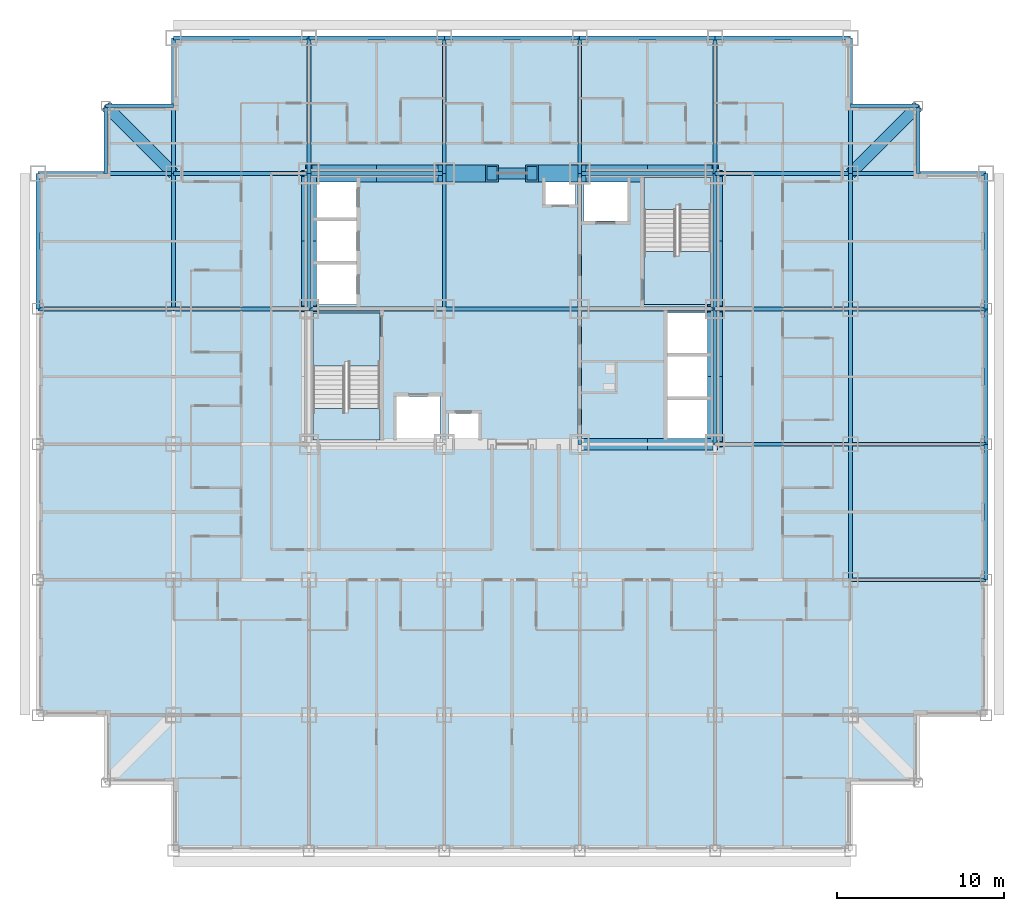
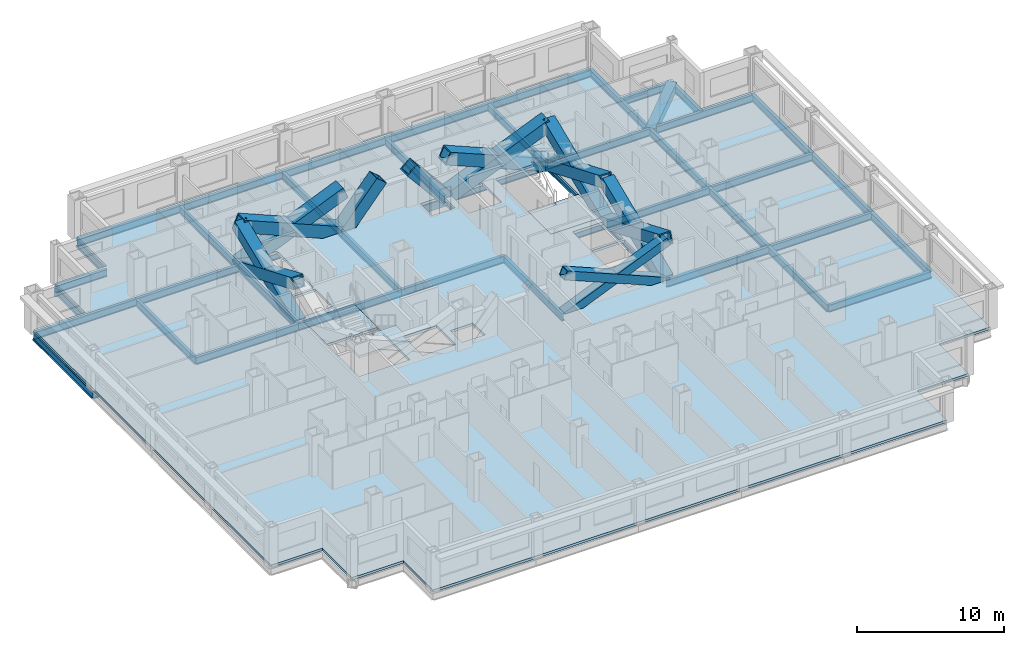
# One storey, part 2 of 12: 48 beams, 14 members, 5 slabs, 2 elements without a shape of their own.
"""IFC4 building model written with IfcOpenShell, lengths in metres."""

from ifc_helpers import new_model, si_unit, direction, frame, origin, origin_2d, place, context, subcontext, project, spatial, polyline, hollow_rectangle, i_section, outline, extrude, material, layer, layer_set, material_profile, profile_set, type_object, element, aggregate, save


model = new_model("IFC4")

# Units and contexts
model_context = context("Model", 3, precision=1e-05, world=origin(), true_north=direction((0.0, 1.0)))
body_context = subcontext(model_context, "Body", "Model", "MODEL_VIEW")
ifc_project = project(units=[si_unit("LENGTHUNIT", "METRE"), si_unit("AREAUNIT", "SQUARE_METRE"), si_unit("VOLUMEUNIT", "CUBIC_METRE"), si_unit("PLANEANGLEUNIT", "RADIAN"), si_unit("MASSUNIT", "GRAM", prefix="KILO")], contexts=[model_context])

# Site, building, storey
site_placement = place(None, origin())
site = spatial("IfcSite", under=ifc_project, at=site_placement, CompositionType="ELEMENT")
building_placement = place(site_placement, origin())
building = spatial("IfcBuilding", under=site, at=building_placement, Name="Kopane Lantern Tower", CompositionType="ELEMENT")
storey_placement = place(building_placement, frame((0.0, 0.0, 36.39990234375)))
storey = spatial("IfcBuildingStorey", under=building, at=storey_placement, Name="L07", CompositionType="ELEMENT", Elevation=36.39990234375)

# Members
ifc_material_1 = material(Name="Steel S355JR", Category="steel")
ifc_material_profile_1 = material_profile(ifc_material_1, hollow_rectangle(XDim=1.0, YDim=1.0, WallThickness=0.10009765625, at=origin_2d()), Name="BOX 1000x1000x100")
ifc_profile_set_1 = profile_set([ifc_material_profile_1], Name="Steel S355JR")
member_type_1 = type_object("IfcMemberType", Name="BRACE BOX 1000x1000x100", PredefinedType="BRACE", material=ifc_profile_set_1)
for number, where, z_axis, x_axis, name in (
    (1, (16.199951171875, 40.5, -0.2099609375), (0.92205908274, 0.0, 0.387049154419), (0.0, 1.0, 0.0), "Core brace L07"),
    (2, (24.300048828125, 40.5, -0.2099609375), (-0.92205908274, 0.0, 0.387049154419), (0.0, -1.0, 0.0), "Core brace L07"),
):
    element("IfcMember", number, at=place(storey_placement, frame(where, z_axis=z_axis, x_axis=x_axis)), inside=storey, type_object=member_type_1, Name=name, PredefinedType="BRACE", context=body_context, shape_type="SweptSolid", body=[
        extrude(hollow_rectangle(XDim=1.0, YDim=1.0, WallThickness=0.10009765625, at=origin_2d()), origin(), (0.0, 0.0, 1.0), 8.784912109375),
    ])
for number, where, z_axis, x_axis, name in (
    (3, (24.300048828125, 40.5, -0.2099609375), (0.642363165114, 0.0, 0.766400394118), (0.0, 1.0, 0.0), "Core brace L07"),
    (4, (32.39990234375, 40.5, -0.2099609375), (-0.642363165114, 0.0, 0.766400394118), (0.0, -1.0, 0.0), "Core brace L07"),
):
    element("IfcMember", number, at=place(storey_placement, frame(where, z_axis=z_axis, x_axis=x_axis)), inside=storey, type_object=member_type_1, Name=name, PredefinedType="BRACE", context=body_context, shape_type="SweptSolid", body=[
        extrude(hollow_rectangle(XDim=1.0, YDim=1.0, WallThickness=0.10009765625, at=origin_2d()), origin(), (0.0, 0.0, 1.0), 4.4365234375),
    ])
for number, where, z_axis, x_axis, name in (
    (5, (32.39990234375, 40.5, -0.2099609375), (0.92205908274, 0.0, 0.387049154419), (0.0, 1.0, 0.0), "Core brace L07"),
    (6, (40.5, 40.5, -0.2099609375), (-0.92205908274, 0.0, 0.387049154419), (0.0, -1.0, 0.0), "Core brace L07"),
):
    element("IfcMember", number, at=place(storey_placement, frame(where, z_axis=z_axis, x_axis=x_axis)), inside=storey, type_object=member_type_1, Name=name, PredefinedType="BRACE", context=body_context, shape_type="SweptSolid", body=[
        extrude(hollow_rectangle(XDim=1.0, YDim=1.0, WallThickness=0.10009765625, at=origin_2d()), origin(), (0.0, 0.0, 1.0), 8.784912109375),
    ])
ifc_material_2 = material(Name="Steel S355JR", Category="steel")
ifc_material_profile_2 = material_profile(ifc_material_2, hollow_rectangle(XDim=0.699951171875, YDim=0.699951171875, WallThickness=0.06005859375, at=origin_2d()), Name="BOX 700x700x60")
ifc_profile_set_2 = profile_set([ifc_material_profile_2], Name="Steel S355JR")
member_type_2 = type_object("IfcMemberType", Name="BRACE BOX 700x700x60", PredefinedType="BRACE", material=ifc_profile_set_2)
for number, where, z_axis, x_axis, name in (
    (7, (32.39990234375, 24.300048828125, -0.2099609375), (0.92205908274, 0.0, 0.387049154419), (0.0, 1.0, 0.0), "Core brace L07"),
    (8, (40.5, 24.300048828125, -0.2099609375), (-0.92205908274, 0.0, 0.387049154419), (0.0, -1.0, 0.0), "Core brace L07"),
):
    element("IfcMember", number, at=place(storey_placement, frame(where, z_axis=z_axis, x_axis=x_axis)), inside=storey, type_object=member_type_2, Name=name, PredefinedType="BRACE", context=body_context, shape_type="SweptSolid", body=[
        extrude(hollow_rectangle(XDim=0.699951171875, YDim=0.699951171875, WallThickness=0.06005859375, at=origin_2d()), origin(), (0.0, 0.0, 1.0), 8.784912109375),
    ])
ifc_material_3 = material(Name="Steel S355JR", Category="steel")
ifc_material_profile_3 = material_profile(ifc_material_3, hollow_rectangle(XDim=0.89990234375, YDim=0.89990234375, WallThickness=0.090087890625, at=origin_2d()), Name="BOX 900x900x90")
ifc_profile_set_3 = profile_set([ifc_material_profile_3], Name="Steel S355JR")
member_type_3 = type_object("IfcMemberType", Name="BRACE BOX 900x900x90", PredefinedType="BRACE", material=ifc_profile_set_3)
for number, where, z_axis, x_axis, name in (
    (9, (16.199951171875, 32.39990234375, -0.2099609375), (0.0, 0.92205908274, 0.387049154419), (-1.0, 0.0, 0.0), "Core brace L07"),
    (10, (16.199951171875, 40.5, -0.2099609375), (0.0, -0.92205908274, 0.387049154419), (1.0, 0.0, 0.0), "Core brace L07"),
):
    element("IfcMember", number, at=place(storey_placement, frame(where, z_axis=z_axis, x_axis=x_axis)), inside=storey, type_object=member_type_3, Name=name, PredefinedType="BRACE", context=body_context, shape_type="SweptSolid", body=[
        extrude(hollow_rectangle(XDim=0.89990234375, YDim=0.89990234375, WallThickness=0.090087890625, at=origin_2d()), origin(), (0.0, 0.0, 1.0), 8.784912109375),
    ])
for number, where, z_axis, x_axis, name in (
    (11, (40.5, 24.300048828125, -0.2099609375), (0.0, 0.92205491925, 0.387059072864), (-1.0, 0.0, 0.0), "Core brace L07"),
    (12, (40.5, 32.39990234375, -0.2099609375), (0.0, -0.92205491925, 0.387059072864), (1.0, 0.0, 0.0), "Core brace L07"),
):
    element("IfcMember", number, at=place(storey_placement, frame(where, z_axis=z_axis, x_axis=x_axis)), inside=storey, type_object=member_type_3, Name=name, PredefinedType="BRACE", context=body_context, shape_type="SweptSolid", body=[
        extrude(hollow_rectangle(XDim=0.89990234375, YDim=0.89990234375, WallThickness=0.090087890625, at=origin_2d()), origin(), (0.0, 0.0, 1.0), 8.78466796875),
    ])
for number, where, z_axis, x_axis, name in (
    (13, (40.5, 32.39990234375, -0.2099609375), (0.0, 0.92205908274, 0.387049154419), (-1.0, 0.0, 0.0), "Core brace L07"),
    (14, (40.5, 40.5, -0.2099609375), (0.0, -0.92205908274, 0.387049154419), (1.0, 0.0, 0.0), "Core brace L07"),
):
    element("IfcMember", number, at=place(storey_placement, frame(where, z_axis=z_axis, x_axis=x_axis)), inside=storey, type_object=member_type_3, Name=name, PredefinedType="BRACE", context=body_context, shape_type="SweptSolid", body=[
        extrude(hollow_rectangle(XDim=0.89990234375, YDim=0.89990234375, WallThickness=0.090087890625, at=origin_2d()), origin(), (0.0, 0.0, 1.0), 8.784912109375),
    ])

# Beams
ifc_material_4 = material(Name="Steel S355JR", Category="steel")
ifc_material_profile_4 = material_profile(ifc_material_4, i_section(OverallWidth=0.22900390625, OverallDepth=0.6123046875, WebThickness=0.011962890625, FlangeThickness=0.01953125, FilletRadius=0.0126953125, at=origin_2d()), Name="UB 610x229x125")
ifc_profile_set_4 = profile_set([ifc_material_profile_4], Name="Steel S355JR")
beam_type_1 = type_object("IfcBeamType", Name="CORE BEAM UB 610x229x125", PredefinedType="BEAM", material=ifc_profile_set_4)
for number, where, z_axis, x_axis, name in (
    (15, (16.199951171875, 32.39990234375, -0.51611328125), (1.0, 0.0, 0.0), (0.0, 1.0, 0.0), "Core Beam L07"),
    (16, (24.300048828125, 32.39990234375, -0.51611328125), (0.0, 1.0, 0.0), (-1.0, 0.0, 0.0), "Core Beam L07"),
):
    element("IfcBeam", number, at=place(storey_placement, frame(where, z_axis=z_axis, x_axis=x_axis)), inside=storey, type_object=beam_type_1, Name=name, PredefinedType="BEAM", context=body_context, shape_type="SweptSolid", body=[
        extrude(i_section(OverallWidth=0.22900390625, OverallDepth=0.6123046875, WebThickness=0.011962890625, FlangeThickness=0.01953125, FilletRadius=0.0126953125, at=origin_2d()), origin(), (0.0, 0.0, 1.0), 8.10009765625),
    ])
for number, where, z_axis, x_axis, name in (
    (17, (24.300048828125, 32.39990234375, -0.51611328125), (1.0, 0.0, 0.0), (0.0, 1.0, 0.0), "Core Beam L07"),
    (18, (32.39990234375, 24.300048828125, -0.51611328125), (0.0, 1.0, 0.0), (-1.0, 0.0, 0.0), "Core Beam L07"),
):
    element("IfcBeam", number, at=place(storey_placement, frame(where, z_axis=z_axis, x_axis=x_axis)), inside=storey, type_object=beam_type_1, Name=name, PredefinedType="BEAM", context=body_context, shape_type="SweptSolid", body=[
        extrude(i_section(OverallWidth=0.22900390625, OverallDepth=0.6123046875, WebThickness=0.011962890625, FlangeThickness=0.01953125, FilletRadius=0.0126953125, at=origin_2d()), origin(), (0.0, 0.0, 1.0), 8.099853515625),
    ])
for number, where, z_axis, x_axis, name in (
    (19, (32.39990234375, 32.39990234375, -0.51611328125), (0.0, 1.0, 0.0), (-1.0, 0.0, 0.0), "Core Beam L07"),
    (20, (32.39990234375, 32.39990234375, -0.51611328125), (1.0, 0.0, 0.0), (0.0, 1.0, 0.0), "Core Beam L07"),
):
    element("IfcBeam", number, at=place(storey_placement, frame(where, z_axis=z_axis, x_axis=x_axis)), inside=storey, type_object=beam_type_1, Name=name, PredefinedType="BEAM", context=body_context, shape_type="SweptSolid", body=[
        extrude(i_section(OverallWidth=0.22900390625, OverallDepth=0.6123046875, WebThickness=0.011962890625, FlangeThickness=0.01953125, FilletRadius=0.0126953125, at=origin_2d()), origin(), (0.0, 0.0, 1.0), 8.10009765625),
    ])
ifc_material_5 = material(Name="Steel S355JR", Category="steel")
ifc_material_profile_5 = material_profile(ifc_material_5, hollow_rectangle(XDim=0.699951171875, YDim=0.699951171875, WallThickness=0.06005859375, at=origin_2d()), Name="BOX 700x700x60")
ifc_profile_set_5 = profile_set([ifc_material_profile_5], Name="Steel S355JR")
beam_type_2 = type_object("IfcBeamType", Name="CORNER TIE BEAM BOX 700x700x60", PredefinedType="BEAM", material=ifc_profile_set_5)
for number, where, z_axis, x_axis, name in (
    (21, (4.050048828125, 44.550048828125, -0.559814453125), (0.707106781187, -0.707106781187, 0.0), (0.707106781187, 0.707106781187, 0.0), "Corner Tie Beam L07"),
    (22, (52.64990234375, 44.550048828125, -0.559814453125), (-0.707085467703, -0.707128094028, 0.0), (0.707128094028, -0.707085467703, 0.0), "Corner Tie Beam L07"),
):
    element("IfcBeam", number, at=place(storey_placement, frame(where, z_axis=z_axis, x_axis=x_axis)), inside=storey, type_object=beam_type_2, Name=name, PredefinedType="BEAM", context=body_context, shape_type="SweptSolid", body=[
        extrude(hollow_rectangle(XDim=0.699951171875, YDim=0.699951171875, WallThickness=0.06005859375, at=origin_2d()), origin(), (0.0, 0.0, 1.0), 5.7275390625),
    ])
ifc_material_6 = material(Name="Steel S355JR", Category="steel")
ifc_material_profile_6 = material_profile(ifc_material_6, i_section(OverallWidth=0.22900390625, OverallDepth=0.6123046875, WebThickness=0.011962890625, FlangeThickness=0.01953125, FilletRadius=0.0126953125, at=origin_2d()), Name="UB 610x229x125")
ifc_profile_set_6 = profile_set([ifc_material_profile_6], Name="Steel S355JR")
beam_type_3 = type_object("IfcBeamType", Name="EDGE BEAM UB 610x229x125", PredefinedType="BEAM", material=ifc_profile_set_6)
for number, where, z_axis, x_axis, name in (
    (23, (4.050048828125, 44.550048828125, -0.51611328125), (0.0, -1.0, 0.0), (1.0, 0.0, 0.0), "Edge Beam L07"),
    (24, (4.050048828125, 44.550048828125, -0.51611328125), (1.0, 0.0, 0.0), (0.0, 1.0, 0.0), "Edge Beam L07"),
):
    element("IfcBeam", number, at=place(storey_placement, frame(where, z_axis=z_axis, x_axis=x_axis)), inside=storey, type_object=beam_type_3, Name=name, PredefinedType="BEAM", context=body_context, shape_type="SweptSolid", body=[
        extrude(i_section(OverallWidth=0.22900390625, OverallDepth=0.6123046875, WebThickness=0.011962890625, FlangeThickness=0.01953125, FilletRadius=0.0126953125, at=origin_2d()), origin(), (0.0, 0.0, 1.0), 4.050048828125),
    ])
beam_1_placement = place(storey_placement, frame((52.64990234375, 44.550048828125, -0.51611328125), z_axis=(-1.0, 0.0, 0.0), x_axis=(0.0, -1.0, 0.0)))
element("IfcBeam", 25, at=beam_1_placement, inside=storey, type_object=beam_type_3, Name="Edge Beam L07", PredefinedType="BEAM", context=body_context, shape_type="SweptSolid", body=[
    extrude(i_section(OverallWidth=0.22900390625, OverallDepth=0.6123046875, WebThickness=0.011962890625, FlangeThickness=0.01953125, FilletRadius=0.0126953125, at=origin_2d()), origin(), (0.0, 0.0, 1.0), 4.0498046875),
])
beam_2_placement = place(storey_placement, frame((52.64990234375, 44.550048828125, -0.51611328125), z_axis=(0.0, -1.0, 0.0), x_axis=(1.0, 0.0, 0.0)))
element("IfcBeam", 26, at=beam_2_placement, inside=storey, type_object=beam_type_3, Name="Edge Beam L07", PredefinedType="BEAM", context=body_context, shape_type="SweptSolid", body=[
    extrude(i_section(OverallWidth=0.22900390625, OverallDepth=0.6123046875, WebThickness=0.011962890625, FlangeThickness=0.01953125, FilletRadius=0.0126953125, at=origin_2d()), origin(), (0.0, 0.0, 1.0), 4.050048828125),
])
ifc_material_7 = material(Name="Steel S355JR", Category="steel")
ifc_material_profile_7 = material_profile(ifc_material_7, i_section(OverallWidth=0.22900390625, OverallDepth=0.6123046875, WebThickness=0.011962890625, FlangeThickness=0.01953125, FilletRadius=0.0126953125, at=origin_2d()), Name="UB 610x229x125")
ifc_profile_set_7 = profile_set([ifc_material_profile_7], Name="Steel S355JR")
beam_type_4 = type_object("IfcBeamType", Name="GIRDER UB 610x229x125", PredefinedType="BEAM", material=ifc_profile_set_7)
for number, where, z_axis, x_axis, name in (
    (27, (0.0, 32.39990234375, -0.51611328125), (0.0, 1.0, 0.0), (-1.0, 0.0, 0.0), "Girder L07"),
    (28, (0.0, 32.39990234375, -0.51611328125), (1.0, 0.0, 0.0), (0.0, 1.0, 0.0), "Girder L07"),
    (29, (0.0, 40.5, -0.51611328125), (1.0, 0.0, 0.0), (0.0, 1.0, 0.0), "Girder L07"),
    (30, (8.10009765625, 32.39990234375, -0.51611328125), (0.0, 1.0, 0.0), (-1.0, 0.0, 0.0), "Girder L07"),
):
    element("IfcBeam", number, at=place(storey_placement, frame(where, z_axis=z_axis, x_axis=x_axis)), inside=storey, type_object=beam_type_4, Name=name, PredefinedType="BEAM", context=body_context, shape_type="SweptSolid", body=[
        extrude(i_section(OverallWidth=0.22900390625, OverallDepth=0.6123046875, WebThickness=0.011962890625, FlangeThickness=0.01953125, FilletRadius=0.0126953125, at=origin_2d()), origin(), (0.0, 0.0, 1.0), 8.10009765625),
    ])
beam_3_placement = place(storey_placement, frame((8.10009765625, 32.39990234375, -0.51611328125), z_axis=(1.0, 0.0, 0.0), x_axis=(0.0, 1.0, 0.0)))
element("IfcBeam", 31, at=beam_3_placement, inside=storey, type_object=beam_type_4, Name="Girder L07", PredefinedType="BEAM", context=body_context, shape_type="SweptSolid", body=[
    extrude(i_section(OverallWidth=0.22900390625, OverallDepth=0.6123046875, WebThickness=0.011962890625, FlangeThickness=0.01953125, FilletRadius=0.0126953125, at=origin_2d()), origin(), (0.0, 0.0, 1.0), 8.099853515625),
])
beam_4_placement = place(storey_placement, frame((8.10009765625, 40.5, -0.51611328125), z_axis=(0.0, 1.0, 0.0), x_axis=(-1.0, 0.0, 0.0)))
element("IfcBeam", 32, at=beam_4_placement, inside=storey, type_object=beam_type_4, Name="Girder L07", PredefinedType="BEAM", context=body_context, shape_type="SweptSolid", body=[
    extrude(i_section(OverallWidth=0.22900390625, OverallDepth=0.6123046875, WebThickness=0.011962890625, FlangeThickness=0.01953125, FilletRadius=0.0126953125, at=origin_2d()), origin(), (0.0, 0.0, 1.0), 8.10009765625),
])
for number, where, z_axis, x_axis, name in (
    (33, (8.10009765625, 40.5, -0.51611328125), (1.0, 0.0, 0.0), (0.0, 1.0, 0.0), "Girder L07"),
    (34, (8.10009765625, 48.60009765625, -0.51611328125), (1.0, 0.0, 0.0), (0.0, 1.0, 0.0), "Girder L07"),
):
    element("IfcBeam", number, at=place(storey_placement, frame(where, z_axis=z_axis, x_axis=x_axis)), inside=storey, type_object=beam_type_4, Name=name, PredefinedType="BEAM", context=body_context, shape_type="SweptSolid", body=[
        extrude(i_section(OverallWidth=0.22900390625, OverallDepth=0.6123046875, WebThickness=0.011962890625, FlangeThickness=0.01953125, FilletRadius=0.0126953125, at=origin_2d()), origin(), (0.0, 0.0, 1.0), 8.099853515625),
    ])
for number, where, z_axis, x_axis, name in (
    (35, (16.199951171875, 32.39990234375, -0.51611328125), (0.0, 1.0, 0.0), (-1.0, 0.0, 0.0), "Girder L07"),
    (36, (16.199951171875, 40.5, -0.51611328125), (0.0, 1.0, 0.0), (-1.0, 0.0, 0.0), "Girder L07"),
    (37, (16.199951171875, 40.5, -0.51611328125), (1.0, 0.0, 0.0), (0.0, 1.0, 0.0), "Girder L07"),
    (38, (16.199951171875, 48.60009765625, -0.51611328125), (1.0, 0.0, 0.0), (0.0, 1.0, 0.0), "Girder L07"),
    (39, (24.300048828125, 40.5, -0.51611328125), (0.0, 1.0, 0.0), (-1.0, 0.0, 0.0), "Girder L07"),
):
    element("IfcBeam", number, at=place(storey_placement, frame(where, z_axis=z_axis, x_axis=x_axis)), inside=storey, type_object=beam_type_4, Name=name, PredefinedType="BEAM", context=body_context, shape_type="SweptSolid", body=[
        extrude(i_section(OverallWidth=0.22900390625, OverallDepth=0.6123046875, WebThickness=0.011962890625, FlangeThickness=0.01953125, FilletRadius=0.0126953125, at=origin_2d()), origin(), (0.0, 0.0, 1.0), 8.10009765625),
    ])
beam_5_placement = place(storey_placement, frame((24.300048828125, 48.60009765625, -0.51611328125), z_axis=(1.0, 0.0, 0.0), x_axis=(0.0, 1.0, 0.0)))
element("IfcBeam", 40, at=beam_5_placement, inside=storey, type_object=beam_type_4, Name="Girder L07", PredefinedType="BEAM", context=body_context, shape_type="SweptSolid", body=[
    extrude(i_section(OverallWidth=0.22900390625, OverallDepth=0.6123046875, WebThickness=0.011962890625, FlangeThickness=0.01953125, FilletRadius=0.0126953125, at=origin_2d()), origin(), (0.0, 0.0, 1.0), 8.099853515625),
])
for number, where, z_axis, x_axis, name in (
    (41, (32.39990234375, 40.5, -0.51611328125), (0.0, 1.0, 0.0), (-1.0, 0.0, 0.0), "Girder L07"),
    (42, (32.39990234375, 40.5, -0.51611328125), (1.0, 0.0, 0.0), (0.0, 1.0, 0.0), "Girder L07"),
    (43, (32.39990234375, 48.60009765625, -0.51611328125), (1.0, 0.0, 0.0), (0.0, 1.0, 0.0), "Girder L07"),
):
    element("IfcBeam", number, at=place(storey_placement, frame(where, z_axis=z_axis, x_axis=x_axis)), inside=storey, type_object=beam_type_4, Name=name, PredefinedType="BEAM", context=body_context, shape_type="SweptSolid", body=[
        extrude(i_section(OverallWidth=0.22900390625, OverallDepth=0.6123046875, WebThickness=0.011962890625, FlangeThickness=0.01953125, FilletRadius=0.0126953125, at=origin_2d()), origin(), (0.0, 0.0, 1.0), 8.10009765625),
    ])
beam_6_placement = place(storey_placement, frame((40.5, 24.300048828125, -0.51611328125), z_axis=(0.0, 1.0, 0.0), x_axis=(-1.0, 0.0, 0.0)))
element("IfcBeam", 44, at=beam_6_placement, inside=storey, type_object=beam_type_4, Name="Girder L07", PredefinedType="BEAM", context=body_context, shape_type="SweptSolid", body=[
    extrude(i_section(OverallWidth=0.22900390625, OverallDepth=0.6123046875, WebThickness=0.011962890625, FlangeThickness=0.01953125, FilletRadius=0.0126953125, at=origin_2d()), origin(), (0.0, 0.0, 1.0), 8.099853515625),
])
for number, where, z_axis, x_axis, name in (
    (45, (40.5, 24.300048828125, -0.51611328125), (1.0, 0.0, 0.0), (0.0, 1.0, 0.0), "Girder L07"),
    (46, (40.5, 32.39990234375, -0.51611328125), (0.0, 1.0, 0.0), (-1.0, 0.0, 0.0), "Girder L07"),
    (47, (40.5, 32.39990234375, -0.51611328125), (1.0, 0.0, 0.0), (0.0, 1.0, 0.0), "Girder L07"),
    (48, (40.5, 40.5, -0.51611328125), (0.0, 1.0, 0.0), (-1.0, 0.0, 0.0), "Girder L07"),
    (49, (40.5, 40.5, -0.51611328125), (1.0, 0.0, 0.0), (0.0, 1.0, 0.0), "Girder L07"),
    (50, (40.5, 48.60009765625, -0.51611328125), (1.0, 0.0, 0.0), (0.0, 1.0, 0.0), "Girder L07"),
    (51, (48.60009765625, 16.199951171875, -0.51611328125), (0.0, 1.0, 0.0), (-1.0, 0.0, 0.0), "Girder L07"),
):
    element("IfcBeam", number, at=place(storey_placement, frame(where, z_axis=z_axis, x_axis=x_axis)), inside=storey, type_object=beam_type_4, Name=name, PredefinedType="BEAM", context=body_context, shape_type="SweptSolid", body=[
        extrude(i_section(OverallWidth=0.22900390625, OverallDepth=0.6123046875, WebThickness=0.011962890625, FlangeThickness=0.01953125, FilletRadius=0.0126953125, at=origin_2d()), origin(), (0.0, 0.0, 1.0), 8.10009765625),
    ])
for number, where, z_axis, x_axis, name in (
    (52, (48.60009765625, 16.199951171875, -0.51611328125), (1.0, 0.0, 0.0), (0.0, 1.0, 0.0), "Girder L07"),
    (53, (48.60009765625, 24.300048828125, -0.51611328125), (0.0, 1.0, 0.0), (-1.0, 0.0, 0.0), "Girder L07"),
    (54, (48.60009765625, 24.300048828125, -0.51611328125), (1.0, 0.0, 0.0), (0.0, 1.0, 0.0), "Girder L07"),
):
    element("IfcBeam", number, at=place(storey_placement, frame(where, z_axis=z_axis, x_axis=x_axis)), inside=storey, type_object=beam_type_4, Name=name, PredefinedType="BEAM", context=body_context, shape_type="SweptSolid", body=[
        extrude(i_section(OverallWidth=0.22900390625, OverallDepth=0.6123046875, WebThickness=0.011962890625, FlangeThickness=0.01953125, FilletRadius=0.0126953125, at=origin_2d()), origin(), (0.0, 0.0, 1.0), 8.099853515625),
    ])
beam_7_placement = place(storey_placement, frame((48.60009765625, 32.39990234375, -0.51611328125), z_axis=(0.0, 1.0, 0.0), x_axis=(-1.0, 0.0, 0.0)))
element("IfcBeam", 55, at=beam_7_placement, inside=storey, type_object=beam_type_4, Name="Girder L07", PredefinedType="BEAM", context=body_context, shape_type="SweptSolid", body=[
    extrude(i_section(OverallWidth=0.22900390625, OverallDepth=0.6123046875, WebThickness=0.011962890625, FlangeThickness=0.01953125, FilletRadius=0.0126953125, at=origin_2d()), origin(), (0.0, 0.0, 1.0), 8.10009765625),
])
beam_8_placement = place(storey_placement, frame((48.60009765625, 32.39990234375, -0.51611328125), z_axis=(1.0, 0.0, 0.0), x_axis=(0.0, 1.0, 0.0)))
element("IfcBeam", 56, at=beam_8_placement, inside=storey, type_object=beam_type_4, Name="Girder L07", PredefinedType="BEAM", context=body_context, shape_type="SweptSolid", body=[
    extrude(i_section(OverallWidth=0.22900390625, OverallDepth=0.6123046875, WebThickness=0.011962890625, FlangeThickness=0.01953125, FilletRadius=0.0126953125, at=origin_2d()), origin(), (0.0, 0.0, 1.0), 8.099853515625),
])
beam_9_placement = place(storey_placement, frame((48.60009765625, 40.5, -0.51611328125), z_axis=(0.0, 1.0, 0.0), x_axis=(-1.0, 0.0, 0.0)))
element("IfcBeam", 57, at=beam_9_placement, inside=storey, type_object=beam_type_4, Name="Girder L07", PredefinedType="BEAM", context=body_context, shape_type="SweptSolid", body=[
    extrude(i_section(OverallWidth=0.22900390625, OverallDepth=0.6123046875, WebThickness=0.011962890625, FlangeThickness=0.01953125, FilletRadius=0.0126953125, at=origin_2d()), origin(), (0.0, 0.0, 1.0), 8.10009765625),
])
beam_10_placement = place(storey_placement, frame((48.60009765625, 40.5, -0.51611328125), z_axis=(1.0, 0.0, 0.0), x_axis=(0.0, 1.0, 0.0)))
element("IfcBeam", 58, at=beam_10_placement, inside=storey, type_object=beam_type_4, Name="Girder L07", PredefinedType="BEAM", context=body_context, shape_type="SweptSolid", body=[
    extrude(i_section(OverallWidth=0.22900390625, OverallDepth=0.6123046875, WebThickness=0.011962890625, FlangeThickness=0.01953125, FilletRadius=0.0126953125, at=origin_2d()), origin(), (0.0, 0.0, 1.0), 8.099853515625),
])
beam_11_placement = place(storey_placement, frame((56.699951171875, 16.199951171875, -0.51611328125), z_axis=(0.0, 1.0, 0.0), x_axis=(-1.0, 0.0, 0.0)))
element("IfcBeam", 59, at=beam_11_placement, inside=storey, type_object=beam_type_4, Name="Girder L07", PredefinedType="BEAM", context=body_context, shape_type="SweptSolid", body=[
    extrude(i_section(OverallWidth=0.22900390625, OverallDepth=0.6123046875, WebThickness=0.011962890625, FlangeThickness=0.01953125, FilletRadius=0.0126953125, at=origin_2d()), origin(), (0.0, 0.0, 1.0), 8.10009765625),
])
beam_12_placement = place(storey_placement, frame((56.699951171875, 24.300048828125, -0.51611328125), z_axis=(0.0, 1.0, 0.0), x_axis=(-1.0, 0.0, 0.0)))
element("IfcBeam", 60, at=beam_12_placement, inside=storey, type_object=beam_type_4, Name="Girder L07", PredefinedType="BEAM", context=body_context, shape_type="SweptSolid", body=[
    extrude(i_section(OverallWidth=0.22900390625, OverallDepth=0.6123046875, WebThickness=0.011962890625, FlangeThickness=0.01953125, FilletRadius=0.0126953125, at=origin_2d()), origin(), (0.0, 0.0, 1.0), 8.099853515625),
])
beam_13_placement = place(storey_placement, frame((56.699951171875, 32.39990234375, -0.51611328125), z_axis=(0.0, 1.0, 0.0), x_axis=(-1.0, 0.0, 0.0)))
element("IfcBeam", 61, at=beam_13_placement, inside=storey, type_object=beam_type_4, Name="Girder L07", PredefinedType="BEAM", context=body_context, shape_type="SweptSolid", body=[
    extrude(i_section(OverallWidth=0.22900390625, OverallDepth=0.6123046875, WebThickness=0.011962890625, FlangeThickness=0.01953125, FilletRadius=0.0126953125, at=origin_2d()), origin(), (0.0, 0.0, 1.0), 8.10009765625),
])
ifc_material_8 = material(Name="Steel S355JR", Category="steel")
ifc_material_profile_8 = material_profile(ifc_material_8, hollow_rectangle(XDim=0.64990234375, YDim=0.64990234375, WallThickness=0.070068359375, at=origin_2d()), Name="BOX 650x650x70")
ifc_profile_set_8 = profile_set([ifc_material_profile_8], Name="Steel S355JR")
beam_type_5 = type_object("IfcBeamType", Name="LINK BEAM BOX 650x650x70", PredefinedType="BEAM", material=ifc_profile_set_8)
beam_14_placement = place(storey_placement, frame((24.300048828125, 40.5, -0.534912109375), z_axis=(1.0, 0.0, 0.0), x_axis=(0.0, 1.0, 0.0)))
element("IfcBeam", 62, at=beam_14_placement, inside=storey, type_object=beam_type_5, Name="Link Beam L07", PredefinedType="BEAM", context=body_context, shape_type="SweptSolid", body=[
    extrude(hollow_rectangle(XDim=0.64990234375, YDim=0.64990234375, WallThickness=0.070068359375, at=origin_2d()), origin(), (0.0, 0.0, 1.0), 8.099853515625),
])

# Slab
ifc_material_9 = material(Name="Concrete C40/50", Category="concrete")
ifc_layer_1 = layer(ifc_material_9, 0.2099609375)
ifc_layer_set_1 = layer_set([ifc_layer_1], Name="SLAB 210 COMPOSITE")
slab_type_1 = type_object("IfcSlabType", Name="SLAB 210 COMPOSITE", PredefinedType="FLOOR", material=ifc_layer_set_1)
slab_1_placement = place(storey_placement, frame((0.0, 0.0, -0.2099609375)))
element("IfcSlab", 63, at=slab_1_placement, inside=storey, type_object=slab_type_1, Name="Floor slab L07", PredefinedType="FLOOR", context=body_context, shape_type="SweptSolid", body=[
    extrude(outline(polyline([(8.10009765625, 0.0), (48.60009765625, 0.0), (48.60009765625, 4.050048828125), (52.64990234375, 4.050048828125), (52.64990234375, 8.10009765625), (56.699951171875, 8.10009765625), (56.699951171875, 40.5), (52.64990234375, 40.5), (52.64990234375, 44.550048828125), (48.60009765625, 44.550048828125), (48.60009765625, 48.60009765625), (8.10009765625, 48.60009765625), (8.10009765625, 44.550048828125), (4.050048828125, 44.550048828125), (4.050048828125, 40.5), (0.0, 40.5), (0.0, 8.10009765625), (4.050048828125, 8.10009765625), (4.050048828125, 4.050048828125), (8.10009765625, 4.050048828125), (8.10009765625, 0.0)]), holes=[polyline([(16.449951171875, 24.550048828125), (20.449951171875, 24.550048828125), (20.449951171875, 32.14990234375), (16.449951171875, 32.14990234375), (16.449951171875, 24.550048828125)]), polyline([(36.25, 32.64990234375), (40.25, 32.64990234375), (40.25, 40.25), (36.25, 40.25), (36.25, 32.64990234375)]), polyline([(16.449951171875, 32.64990234375), (19.050048828125, 32.64990234375), (19.050048828125, 35.050048828125), (16.449951171875, 35.050048828125), (16.449951171875, 32.64990234375)]), polyline([(16.449951171875, 35.25), (19.050048828125, 35.25), (19.050048828125, 37.64990234375), (16.449951171875, 37.64990234375), (16.449951171875, 35.25)]), polyline([(16.449951171875, 37.85009765625), (19.050048828125, 37.85009765625), (19.050048828125, 40.25), (16.449951171875, 40.25), (16.449951171875, 37.85009765625)]), polyline([(37.64990234375, 24.550048828125), (40.25, 24.550048828125), (40.25, 26.949951171875), (37.64990234375, 26.949951171875), (37.64990234375, 24.550048828125)]), polyline([(37.64990234375, 27.14990234375), (40.25, 27.14990234375), (40.25, 29.550048828125), (37.64990234375, 29.550048828125), (37.64990234375, 27.14990234375)]), polyline([(37.64990234375, 29.75), (40.25, 29.75), (40.25, 32.14990234375), (37.64990234375, 32.14990234375), (37.64990234375, 29.75)]), polyline([(21.449951171875, 24.550048828125), (24.050048828125, 24.550048828125), (24.050048828125, 27.14990234375), (21.449951171875, 27.14990234375), (21.449951171875, 24.550048828125)]), polyline([(32.64990234375, 37.64990234375), (35.25, 37.64990234375), (35.25, 40.25), (32.64990234375, 40.25), (32.64990234375, 37.64990234375)]), polyline([(24.550048828125, 24.550048828125), (26.35009765625, 24.550048828125), (26.35009765625, 26.14990234375), (24.550048828125, 26.14990234375), (24.550048828125, 24.550048828125)]), polyline([(30.35009765625, 38.64990234375), (32.14990234375, 38.64990234375), (32.14990234375, 40.25), (30.35009765625, 40.25), (30.35009765625, 38.64990234375)])]), origin(), (0.0, 0.0, 1.0), 0.2099609375),
])

# Stair, slabs
ifc_material_10 = material(Name="Steel S355JR", Category="steel")
stair_type = type_object("IfcStairType", Name="EXIT STAIR 1900 HALF TURN", PredefinedType="HALF_TURN_STAIR", material=ifc_material_10)
stair_1_placement = place(storey_placement, origin())
stair_1 = element("IfcStair", 64, at=stair_1_placement, inside=storey, type_object=stair_type, Name="Exit stair ST1 L07", PredefinedType="HALF_TURN_STAIR")
ifc_material_11 = material(Name="Concrete C40/50", Category="concrete")
ifc_layer_2 = layer(ifc_material_11, 0.199951171875)
ifc_layer_set_2 = layer_set([ifc_layer_2], Name="STAIR LANDING 200")
slab_type_2 = type_object("IfcSlabType", Name="STAIR LANDING 200", PredefinedType="LANDING", material=ifc_layer_set_2)
slab_2_placement = place(storey_placement, frame((0.0, 0.0, -0.199951171875)))
slab_2 = element("IfcSlab", 65, at=slab_2_placement, type_object=slab_type_2, Name="ST1 landing 1", PredefinedType="LANDING", context=body_context, shape_type="SweptSolid", body=[
    extrude(outline(polyline([(18.35009765625, 29.25), (18.550048828125, 29.25), (18.550048828125, 28.969970703125), (20.449951171875, 28.969970703125), (20.449951171875, 32.14990234375), (16.449951171875, 32.14990234375), (16.449951171875, 28.969970703125), (18.35009765625, 28.969970703125), (18.35009765625, 29.25)])), origin(), (0.0, 0.0, 1.0), 0.199951171875),
])
slab_3_placement = place(storey_placement, frame((0.0, 0.0, 1.5)))
slab_3 = element("IfcSlab", 66, at=slab_3_placement, type_object=slab_type_2, Name="ST1 landing 2", PredefinedType="LANDING", context=body_context, shape_type="SweptSolid", body=[
    extrude(outline(polyline([(20.449951171875, 26.449951171875), (18.550048828125, 26.449951171875), (18.550048828125, 26.169921875), (18.35009765625, 26.169921875), (18.35009765625, 26.449951171875), (16.449951171875, 26.449951171875), (16.449951171875, 24.550048828125), (20.449951171875, 24.550048828125), (20.449951171875, 26.449951171875)])), origin(), (0.0, 0.0, 1.0), 0.2001953125),
])
aggregate(stair_1, [slab_2, slab_3])

stair_2_placement = place(storey_placement, origin())
stair_2 = element("IfcStair", 67, at=stair_2_placement, inside=storey, type_object=stair_type, Name="Exit stair ST2 L07", PredefinedType="HALF_TURN_STAIR")
slab_4_placement = place(storey_placement, frame((0.0, 0.0, -0.199951171875)))
slab_4 = element("IfcSlab", 68, at=slab_4_placement, type_object=slab_type_2, Name="ST2 landing 1", PredefinedType="LANDING", context=body_context, shape_type="SweptSolid", body=[
    extrude(outline(polyline([(40.25, 35.830078125), (38.35009765625, 35.830078125), (38.35009765625, 35.550048828125), (38.14990234375, 35.550048828125), (38.14990234375, 35.830078125), (36.25, 35.830078125), (36.25, 32.64990234375), (40.25, 32.64990234375), (40.25, 35.830078125)])), origin(), (0.0, 0.0, 1.0), 0.199951171875),
])
slab_5_placement = place(storey_placement, frame((0.0, 0.0, 1.5)))
slab_5 = element("IfcSlab", 69, at=slab_5_placement, type_object=slab_type_2, Name="ST2 landing 2", PredefinedType="LANDING", context=body_context, shape_type="SweptSolid", body=[
    extrude(outline(polyline([(38.14990234375, 38.6298828125), (38.35009765625, 38.6298828125), (38.35009765625, 38.35009765625), (40.25, 38.35009765625), (40.25, 40.25), (36.25, 40.25), (36.25, 38.35009765625), (38.14990234375, 38.35009765625), (38.14990234375, 38.6298828125)])), origin(), (0.0, 0.0, 1.0), 0.2001953125),
])
aggregate(stair_2, [slab_4, slab_5])

save(model, "model.ifc")
